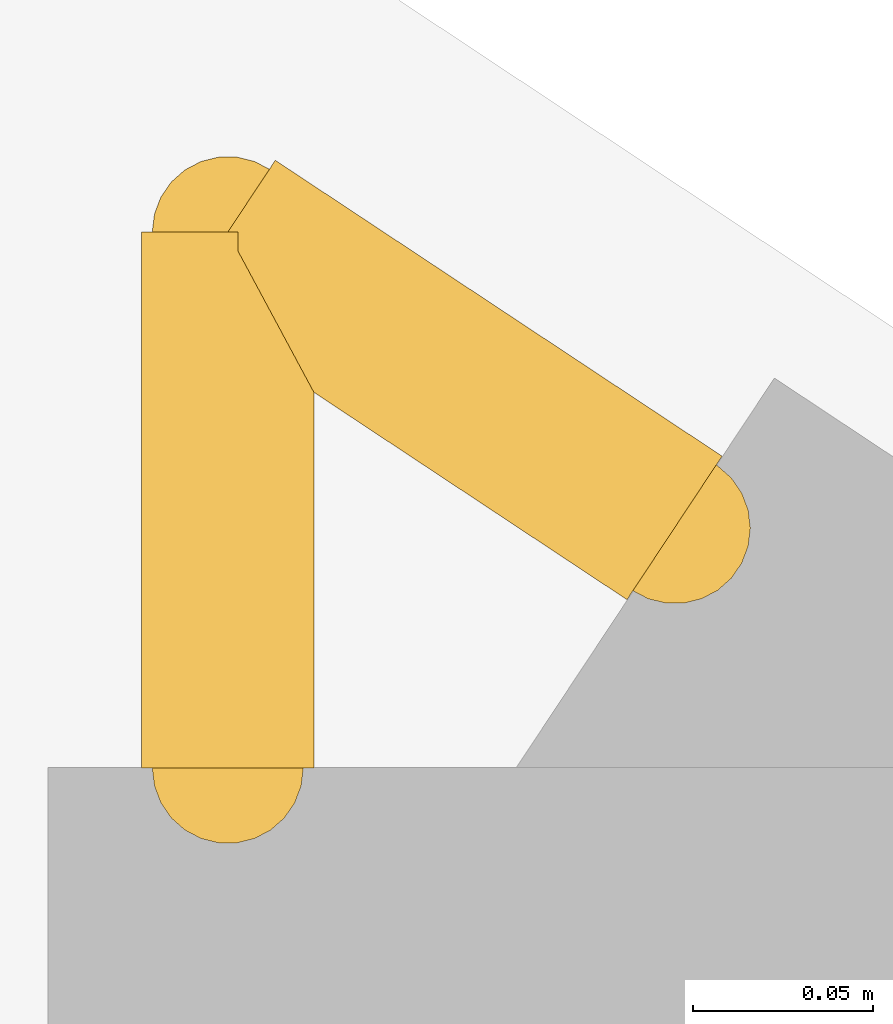
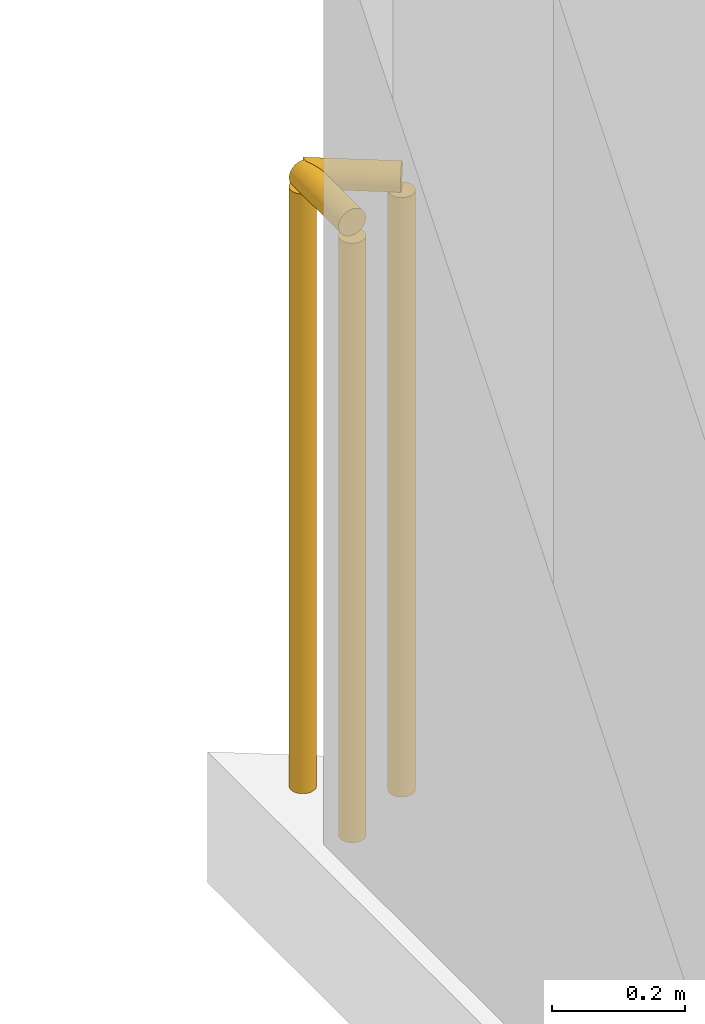
# One storey, part 16 of 17: 2 railings.
"""IFC4 building model written with IfcOpenShell, lengths in metres."""

from ifc_helpers import new_model, si_unit, direction, frame, origin, origin_2d, place, context, subcontext, project, spatial, circle, extrude, material, type_object, element, save


model = new_model("IFC4")

# Units and contexts
model_context = context("Model", 3, precision=1e-05, world=origin(), true_north=direction((0.0, 1.0)))
body_context = subcontext(model_context, "Body", "Model", "MODEL_VIEW")
ifc_project = project(units=[si_unit("LENGTHUNIT", "METRE"), si_unit("AREAUNIT", "SQUARE_METRE"), si_unit("VOLUMEUNIT", "CUBIC_METRE"), si_unit("PLANEANGLEUNIT", "RADIAN"), si_unit("MASSUNIT", "GRAM", prefix="KILO")], contexts=[model_context])

# Site, building, storey
site_placement = place(None, origin())
site = spatial("IfcSite", under=ifc_project, at=site_placement, CompositionType="ELEMENT")
building_placement = place(site_placement, origin())
building = spatial("IfcBuilding", under=site, at=building_placement, Name="Varnakote Quay Hospital", CompositionType="ELEMENT")
storey_placement = place(building_placement, frame((0.0, 0.0, 131.0)))
storey = spatial("IfcBuildingStorey", under=building, at=storey_placement, Name="L32", CompositionType="ELEMENT", Elevation=131.0)

# Railings
ifc_material = material(Name="Anodised aluminium 6063-T6 Bronze", Category="aluminium")
railing_type = type_object("IfcRailingType", Name="RLG-EXT-GUARD-1150", PredefinedType="GUARDRAIL", material=ifc_material)
railing_1_placement = place(storey_placement, frame((2.679931640625, 43.10205078125, 0.0)))
element("IfcRailing", 1, at=railing_1_placement, inside=storey, type_object=railing_type, Name="L32 Slab Edge Perimeter Safety Guard", PredefinedType="GUARDRAIL", context=body_context, shape_type="SweptSolid", body=[
    extrude(circle(Radius=0.02392578125, at=origin_2d()), frame((0.0, 0.0, 1.1259765625), z_axis=(0.0, 1.0, 0.0), x_axis=(-1.0, 0.0, 0.0)), (0.0, 0.0, 1.0), 0.14892578125),
    extrude(circle(Radius=0.02099609375, at=origin_2d()), origin(), (0.0, 0.0, 1.0), 1.101806640625),
    extrude(circle(Radius=0.02099609375, at=origin_2d()), frame((0.0, 0.14892578125, 0.0)), (0.0, 0.0, 1.0), 1.101806640625),
])
railing_2_placement = place(storey_placement, frame((2.679931640625, 43.2509765625, 0.0)))
element("IfcRailing", 2, at=railing_2_placement, inside=storey, type_object=railing_type, Name="L32 Slab Edge Perimeter Safety Guard", PredefinedType="GUARDRAIL", context=body_context, shape_type="SweptSolid", body=[
    extrude(circle(Radius=0.02392578125, at=origin_2d()), frame((0.0, 0.0, 1.1259765625), z_axis=(0.833810230731, -0.552051174374, 0.0), x_axis=(0.552051174374, 0.833810230731, 0.0)), (0.0, 0.0, 1.0), 0.14892578125),
    extrude(circle(Radius=0.02099609375, at=origin_2d()), origin(), (0.0, 0.0, 1.0), 1.101806640625),
    extrude(circle(Radius=0.02099609375, at=origin_2d()), frame((0.124267578125, -0.082275390625, 0.0)), (0.0, 0.0, 1.0), 1.101806640625),
])

save(model, "model.ifc")
